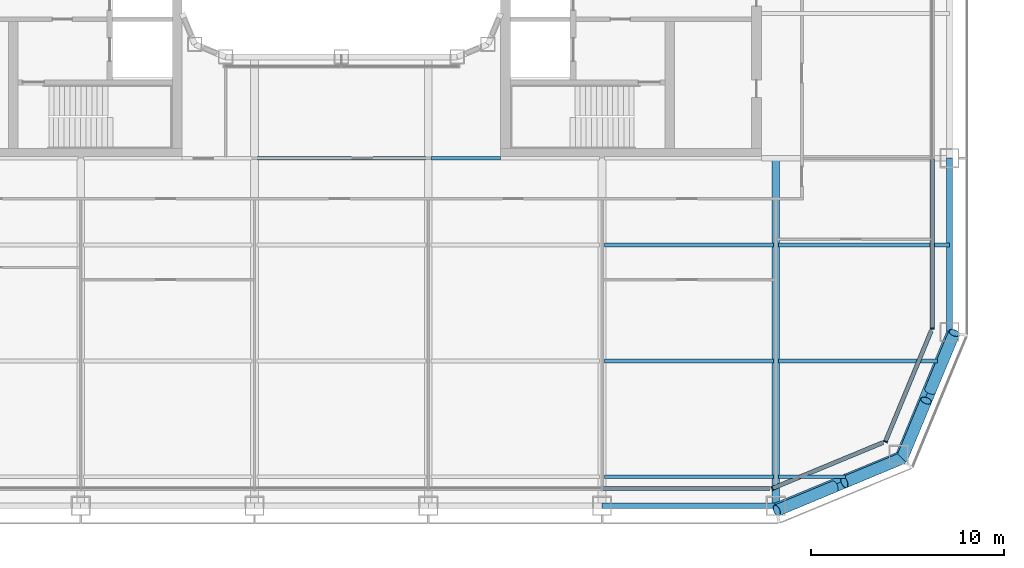
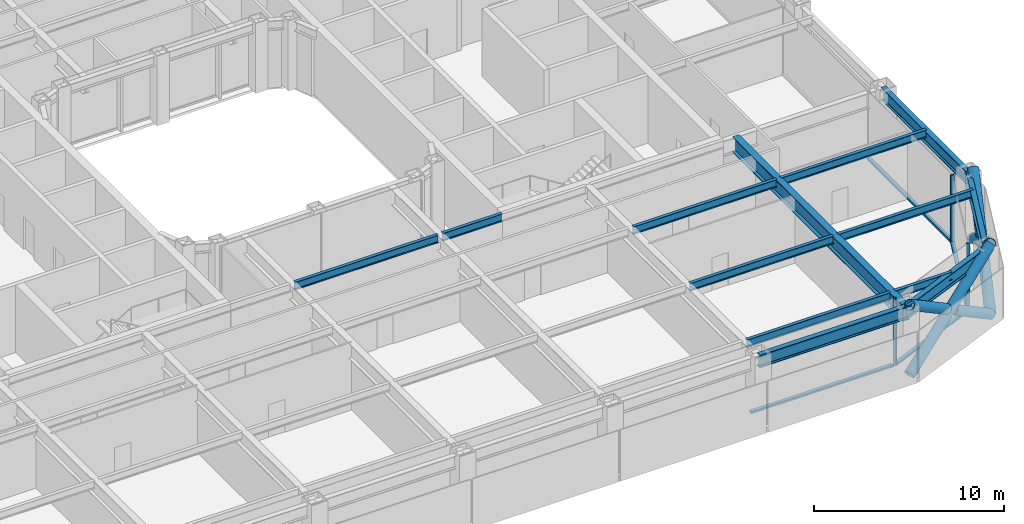
# One storey, part 4 of 30: 13 beams, 13 members, 4 elements without a shape of their own.
"""IFC4 building model written with IfcOpenShell, lengths in metres."""

from ifc_helpers import new_model, si_unit, direction, frame, origin, origin_2d, place, context, subcontext, project, spatial, rectangle, hollow_circle, i_section, extrude, material, layer, layer_set, material_profile, profile_set, type_object, element, aggregate, save


model = new_model("IFC4")

# Units and contexts
model_context = context("Model", 3, precision=1e-05, world=origin(), true_north=direction((0.0, 1.0)))
body_context = subcontext(model_context, "Body", "Model", "MODEL_VIEW")
ifc_project = project(units=[si_unit("LENGTHUNIT", "METRE"), si_unit("AREAUNIT", "SQUARE_METRE"), si_unit("VOLUMEUNIT", "CUBIC_METRE"), si_unit("PLANEANGLEUNIT", "RADIAN"), si_unit("MASSUNIT", "GRAM", prefix="KILO")], contexts=[model_context])

# Site, building, storey
site_placement = place(None, origin())
site = spatial("IfcSite", under=ifc_project, at=site_placement, CompositionType="ELEMENT")
building_placement = place(site_placement, origin())
building = spatial("IfcBuilding", under=site, at=building_placement, Name="Siwar Civic Tower", CompositionType="ELEMENT")
storey_placement = place(building_placement, frame((0.0, 0.0, 62.699951171875)))
storey = spatial("IfcBuildingStorey", under=building, at=storey_placement, Name="L13", CompositionType="ELEMENT", Elevation=62.699951171875)

# Curtain wall, member
ifc_material_1 = material(Name="Aluminium clad insulated panel", Category="aluminium")
ifc_layer_1 = layer(ifc_material_1, 0.219970703125)
ifc_layer_set_1 = layer_set([ifc_layer_1], Name="Aluminium clad insulated panel")
curtain_wall_type_1 = type_object("IfcCurtainWallType", Name="ENV-CW-AX", PredefinedType="NOTDEFINED", material=ifc_layer_set_1)
curtain_wall_1_placement = place(storey_placement, origin())
curtain_wall_1 = element("IfcCurtainWall", 1, at=curtain_wall_1_placement, inside=storey, type_object=curtain_wall_type_1, Name="Curtain wall A SE1", PredefinedType="NOTDEFINED")
ifc_material_2 = material(Name="Aluminium 6063-T6", Category="aluminium")
ifc_material_profile_1 = material_profile(ifc_material_2, rectangle(XDim=0.219970703125, YDim=0.070068359375, at=origin_2d()), Name="AL 220x70")
ifc_profile_set_1 = profile_set([ifc_material_profile_1], Name="Aluminium 6063-T6")
member_type_1 = type_object("IfcMemberType", Name="ENV-MULLION-A", PredefinedType="MULLION", material=ifc_profile_set_1)
member_1_placement = place(storey_placement, frame((22.321044921875, -30.60009765625, 0.0), z_axis=(0.0, 0.0, 1.0), x_axis=(-0.382683432365, 0.923879532511, 0.0)))
member_1 = element("IfcMember", 2, at=member_1_placement, type_object=member_type_1, Name="Mullion A SE1 1", PredefinedType="MULLION", context=body_context, shape_type="SweptSolid", body=[
    extrude(rectangle(XDim=0.219970703125, YDim=0.070068359375, at=origin_2d()), origin(), (0.0, 0.0, 1.0), 4.35009765625),
])

curtain_wall_2_placement = place(storey_placement, origin())
curtain_wall_2 = element("IfcCurtainWall", 3, at=curtain_wall_2_placement, inside=storey, type_object=curtain_wall_type_1, Name="Curtain wall A SE2", PredefinedType="NOTDEFINED")
member_2_placement = place(storey_placement, frame((28.175048828125, -28.175048828125, 0.0), z_axis=(0.0, 0.0, 1.0), x_axis=(-0.923879532511, 0.382683432365, 0.0)))
member_2 = element("IfcMember", 4, at=member_2_placement, type_object=member_type_1, Name="Mullion A SE2 1", PredefinedType="MULLION", context=body_context, shape_type="SweptSolid", body=[
    extrude(rectangle(XDim=0.219970703125, YDim=0.070068359375, at=origin_2d()), origin(), (0.0, 0.0, 1.0), 4.35009765625),
])

ifc_material_3 = material(Name="Aluminium and glass", Category="aluminium")
ifc_layer_2 = layer(ifc_material_3, 0.219970703125)
ifc_layer_set_2 = layer_set([ifc_layer_2], Name="Aluminium and glass")
curtain_wall_type_2 = type_object("IfcCurtainWallType", Name="ENV-CW-A", PredefinedType="NOTDEFINED", material=ifc_layer_set_2)
curtain_wall_3_placement = place(storey_placement, origin())
curtain_wall_3 = element("IfcCurtainWall", 5, at=curtain_wall_3_placement, inside=storey, type_object=curtain_wall_type_2, Name="Curtain wall A E", PredefinedType="NOTDEFINED")
member_3_placement = place(storey_placement, frame((30.60009765625, -22.321044921875, 0.0), z_axis=(0.0, 0.0, 1.0), x_axis=(-1.0, 0.0, 0.0)))
member_3 = element("IfcMember", 6, at=member_3_placement, type_object=member_type_1, Name="Mullion A E 1", PredefinedType="MULLION", context=body_context, shape_type="SweptSolid", body=[
    extrude(rectangle(XDim=0.219970703125, YDim=0.070068359375, at=origin_2d()), origin(), (0.0, 0.0, 1.0), 4.35009765625),
])

curtain_wall_4_placement = place(storey_placement, origin())
curtain_wall_4 = element("IfcCurtainWall", 7, at=curtain_wall_4_placement, inside=storey, type_object=curtain_wall_type_2, Name="Curtain wall A S", PredefinedType="NOTDEFINED")
ifc_material_4 = material(Name="Aluminium 6063-T6", Category="aluminium")
ifc_material_profile_2 = material_profile(ifc_material_4, rectangle(XDim=0.219970703125, YDim=0.1201171875, at=origin_2d()), Name="AL 220x120")
ifc_profile_set_2 = profile_set([ifc_material_profile_2], Name="Aluminium 6063-T6")
member_type_2 = type_object("IfcMemberType", Name="ENV-TRANSOM-A", PredefinedType="USERDEFINED", material=ifc_profile_set_2)
member_4_placement = place(storey_placement, frame((13.534912109375, -30.60009765625, 0.06005859375), z_axis=(1.0, 0.0, 0.0), x_axis=(0.0, 1.0, 0.0)))
member_4 = element("IfcMember", 8, at=member_4_placement, type_object=member_type_2, Name="Transom A S 5", ObjectType="TRANSOM", PredefinedType="USERDEFINED", context=body_context, shape_type="SweptSolid", body=[
    extrude(rectangle(XDim=0.219970703125, YDim=0.1201171875, at=origin_2d()), origin(), (0.0, 0.0, 1.0), 8.66357421875),
])
aggregate(curtain_wall_4, [member_4])

# Member
member_5_placement = place(storey_placement, frame((22.353271484375, -30.586669921875, 0.06005859375), z_axis=(0.923873326341, 0.382698415042, 0.0), x_axis=(-0.382698415042, 0.923873326341, 0.0)))
member_5 = element("IfcMember", 9, at=member_5_placement, type_object=member_type_2, Name="Transom A SE1 1", ObjectType="TRANSOM", PredefinedType="USERDEFINED", context=body_context, shape_type="SweptSolid", body=[
    extrude(rectangle(XDim=0.219970703125, YDim=0.1201171875, at=origin_2d()), origin(), (0.0, 0.0, 1.0), 6.17919921875),
])

aggregate(curtain_wall_1, [member_1, member_5])

member_6_placement = place(storey_placement, frame((28.1884765625, -28.142822265625, 0.06005859375), z_axis=(0.382698415042, 0.923873326341, 0.0), x_axis=(-0.923873326341, 0.382698415042, 0.0)))
member_6 = element("IfcMember", 10, at=member_6_placement, type_object=member_type_2, Name="Transom A SE2 1", ObjectType="TRANSOM", PredefinedType="USERDEFINED", context=body_context, shape_type="SweptSolid", body=[
    extrude(rectangle(XDim=0.219970703125, YDim=0.1201171875, at=origin_2d()), origin(), (0.0, 0.0, 1.0), 6.17919921875),
])

aggregate(curtain_wall_2, [member_2, member_6])

member_7_placement = place(storey_placement, frame((30.60009765625, -22.285888671875, 0.06005859375), z_axis=(0.0, 1.0, 0.0), x_axis=(-1.0, 0.0, 0.0)))
member_7 = element("IfcMember", 11, at=member_7_placement, type_object=member_type_2, Name="Transom A E 1", ObjectType="TRANSOM", PredefinedType="USERDEFINED", context=body_context, shape_type="SweptSolid", body=[
    extrude(rectangle(XDim=0.219970703125, YDim=0.1201171875, at=origin_2d()), origin(), (0.0, 0.0, 1.0), 8.7509765625),
])

aggregate(curtain_wall_3, [member_3, member_7])

# Members
ifc_material_5 = material(Name="Steel S355", Category="steel")
ifc_material_profile_3 = material_profile(ifc_material_5, hollow_circle(Radius=0.304931640625, WallThickness=0.030029296875, at=origin_2d()), Name="CHS610x30")
ifc_profile_set_3 = profile_set([ifc_material_profile_3], Name="Steel S355")
member_type_3 = type_object("IfcMemberType", Name="STR-BR-CHS610x30", PredefinedType="BRACE", material=ifc_profile_set_3)
member_8_placement = place(storey_placement, frame((31.7451171875, -22.548828125, 0.0), z_axis=(-0.323905527954, -0.777554562952, 0.538975055633), x_axis=(0.923108759191, -0.384538969033, 0.0)))
element("IfcMember", 12, at=member_8_placement, inside=storey, type_object=member_type_3, Name="L13/brc/ASE1-12-0-1", PredefinedType="BRACE", context=body_context, shape_type="SweptSolid", body=[
    extrude(hollow_circle(Radius=0.304931640625, WallThickness=0.030029296875, at=origin_2d()), origin(), (0.0, 0.0, 1.0), 8.34912109375),
])
member_9_placement = place(storey_placement, frame((29.040771484375, -29.040771484375, 0.0), z_axis=(0.323922979564, 0.777542179573, 0.53898243227), x_axis=(-0.923099230484, 0.384561842466, 0.0)))
element("IfcMember", 13, at=member_9_placement, inside=storey, type_object=member_type_3, Name="L13/brc/ASE1-12-0-2", PredefinedType="BRACE", context=body_context, shape_type="SweptSolid", body=[
    extrude(hollow_circle(Radius=0.304931640625, WallThickness=0.030029296875, at=origin_2d()), origin(), (0.0, 0.0, 1.0), 3.84375),
])
member_10_placement = place(storey_placement, frame((30.500244140625, -25.537353515625, 2.428466796875), z_axis=(0.3238932121, 0.777559680196, 0.53897507446), x_axis=(-0.923114847559, 0.384524353215, 0.0)))
element("IfcMember", 14, at=member_10_placement, inside=storey, type_object=member_type_3, Name="L13/brc/ASE1-12-0-3", PredefinedType="BRACE", context=body_context, shape_type="SweptSolid", body=[
    extrude(hollow_circle(Radius=0.304931640625, WallThickness=0.030029296875, at=origin_2d()), origin(), (0.0, 0.0, 1.0), 3.843505859375),
])
member_11_placement = place(storey_placement, frame((22.548828125, -31.7451171875, 0.0), z_axis=(0.777554562952, 0.323905527954, 0.538975055633), x_axis=(-0.384538969033, 0.923108759191, 0.0)))
element("IfcMember", 15, at=member_11_placement, inside=storey, type_object=member_type_3, Name="L13/brc/ASE1-12-0-0", PredefinedType="BRACE", context=body_context, shape_type="SweptSolid", body=[
    extrude(hollow_circle(Radius=0.304931640625, WallThickness=0.030029296875, at=origin_2d()), origin(), (0.0, 0.0, 1.0), 8.34912109375),
])
member_12_placement = place(storey_placement, frame((29.040771484375, -29.040771484375, 0.0), z_axis=(-0.777542179573, -0.323922979564, 0.53898243227), x_axis=(0.384561842466, -0.923099230484, 0.0)))
element("IfcMember", 16, at=member_12_placement, inside=storey, type_object=member_type_3, Name="L13/brc/ASE1-12-0-4", PredefinedType="BRACE", context=body_context, shape_type="SweptSolid", body=[
    extrude(hollow_circle(Radius=0.304931640625, WallThickness=0.030029296875, at=origin_2d()), origin(), (0.0, 0.0, 1.0), 3.84375),
])
member_13_placement = place(storey_placement, frame((25.537353515625, -30.500244140625, 2.428466796875), z_axis=(-0.777559680196, -0.3238932121, 0.53897507446), x_axis=(0.384524353215, -0.923114847559, 0.0)))
element("IfcMember", 17, at=member_13_placement, inside=storey, type_object=member_type_3, Name="L13/brc/ASE1-12-0-5", PredefinedType="BRACE", context=body_context, shape_type="SweptSolid", body=[
    extrude(hollow_circle(Radius=0.304931640625, WallThickness=0.030029296875, at=origin_2d()), origin(), (0.0, 0.0, 1.0), 3.843505859375),
])

# Beams
ifc_material_6 = material(Name="Steel S355", Category="steel")
ifc_material_profile_4 = material_profile(ifc_material_6, i_section(OverallWidth=0.199951171875, OverallDepth=0.5, WebThickness=0.01025390625, FlangeThickness=0.01611328125, FilletRadius=0.02099609375, at=origin_2d()), Name="IPE500")
ifc_profile_set_4 = profile_set([ifc_material_profile_4], Name="Steel S355")
beam_type_1 = type_object("IfcBeamType", Name="STR-FB-IPE500", PredefinedType="JOIST", material=ifc_profile_set_4)
beam_1_placement = place(storey_placement, frame((13.6298828125, -30.0, 4.10009765625), z_axis=(1.0, 0.0, 0.0), x_axis=(0.0, 1.0, 0.0)))
element("IfcBeam", 18, at=beam_1_placement, inside=storey, type_object=beam_type_1, Name="L13/bm/F006", PredefinedType="JOIST", context=body_context, shape_type="SweptSolid", body=[
    extrude(i_section(OverallWidth=0.199951171875, OverallDepth=0.5, WebThickness=0.01025390625, FlangeThickness=0.01611328125, FilletRadius=0.02099609375, at=origin_2d()), origin(), (0.0, 0.0, 1.0), 8.740234375),
])
beam_2_placement = place(storey_placement, frame((22.6298828125, -30.0, 4.10009765625), z_axis=(1.0, 0.0, 0.0), x_axis=(0.0, 1.0, 0.0)))
element("IfcBeam", 19, at=beam_2_placement, inside=storey, type_object=beam_type_1, Name="L13/bm/F007", PredefinedType="JOIST", context=body_context, shape_type="SweptSolid", body=[
    extrude(i_section(OverallWidth=0.199951171875, OverallDepth=0.5, WebThickness=0.01025390625, FlangeThickness=0.01611328125, FilletRadius=0.02099609375, at=origin_2d()), origin(), (0.0, 0.0, 1.0), 3.491455078125),
])
beam_3_placement = place(storey_placement, frame((13.6298828125, -24.0, 4.10009765625), z_axis=(1.0, 0.0, 0.0), x_axis=(0.0, 1.0, 0.0)))
element("IfcBeam", 20, at=beam_3_placement, inside=storey, type_object=beam_type_1, Name="L13/bm/F013", PredefinedType="JOIST", context=body_context, shape_type="SweptSolid", body=[
    extrude(i_section(OverallWidth=0.199951171875, OverallDepth=0.5, WebThickness=0.01025390625, FlangeThickness=0.01611328125, FilletRadius=0.02099609375, at=origin_2d()), origin(), (0.0, 0.0, 1.0), 8.740234375),
])
beam_4_placement = place(storey_placement, frame((22.6298828125, -24.0, 4.10009765625), z_axis=(1.0, 0.0, 0.0), x_axis=(0.0, 1.0, 0.0)))
element("IfcBeam", 21, at=beam_4_placement, inside=storey, type_object=beam_type_1, Name="L13/bm/F014", PredefinedType="JOIST", context=body_context, shape_type="SweptSolid", body=[
    extrude(i_section(OverallWidth=0.199951171875, OverallDepth=0.5, WebThickness=0.01025390625, FlangeThickness=0.01611328125, FilletRadius=0.02099609375, at=origin_2d()), origin(), (0.0, 0.0, 1.0), 8.248779296875),
])
beam_5_placement = place(storey_placement, frame((13.6298828125, -18.0, 4.10009765625), z_axis=(1.0, 0.0, 0.0), x_axis=(0.0, 1.0, 0.0)))
element("IfcBeam", 22, at=beam_5_placement, inside=storey, type_object=beam_type_1, Name="L13/bm/F020", PredefinedType="JOIST", context=body_context, shape_type="SweptSolid", body=[
    extrude(i_section(OverallWidth=0.199951171875, OverallDepth=0.5, WebThickness=0.01025390625, FlangeThickness=0.01611328125, FilletRadius=0.02099609375, at=origin_2d()), origin(), (0.0, 0.0, 1.0), 8.740234375),
])
beam_6_placement = place(storey_placement, frame((22.6298828125, -18.0, 4.10009765625), z_axis=(1.0, 0.0, 0.0), x_axis=(0.0, 1.0, 0.0)))
element("IfcBeam", 23, at=beam_6_placement, inside=storey, type_object=beam_type_1, Name="L13/bm/F021", PredefinedType="JOIST", context=body_context, shape_type="SweptSolid", body=[
    extrude(i_section(OverallWidth=0.199951171875, OverallDepth=0.5, WebThickness=0.01025390625, FlangeThickness=0.01611328125, FilletRadius=0.02099609375, at=origin_2d()), origin(), (0.0, 0.0, 1.0), 8.8701171875),
])
beam_7_placement = place(storey_placement, frame((-4.3701171875, -13.5, 4.10009765625), z_axis=(1.0, 0.0, 0.0), x_axis=(0.0, 1.0, 0.0)))
element("IfcBeam", 24, at=beam_7_placement, inside=storey, type_object=beam_type_1, Name="L13/bm/F026", PredefinedType="JOIST", context=body_context, shape_type="SweptSolid", body=[
    extrude(i_section(OverallWidth=0.199951171875, OverallDepth=0.5, WebThickness=0.01025390625, FlangeThickness=0.01611328125, FilletRadius=0.02099609375, at=origin_2d()), origin(), (0.0, 0.0, 1.0), 8.740234375),
])
beam_8_placement = place(storey_placement, frame((4.6298828125, -13.5, 4.10009765625), z_axis=(1.0, 0.0, 0.0), x_axis=(0.0, 1.0, 0.0)))
element("IfcBeam", 25, at=beam_8_placement, inside=storey, type_object=beam_type_1, Name="L13/bm/F027", PredefinedType="JOIST", context=body_context, shape_type="SweptSolid", body=[
    extrude(i_section(OverallWidth=0.199951171875, OverallDepth=0.5, WebThickness=0.01025390625, FlangeThickness=0.01611328125, FilletRadius=0.02099609375, at=origin_2d()), origin(), (0.0, 0.0, 1.0), 3.6201171875),
])
ifc_material_7 = material(Name="Steel S355", Category="steel")
ifc_material_profile_5 = material_profile(ifc_material_7, i_section(OverallWidth=0.39990234375, OverallDepth=1.0, WebThickness=0.01611328125, FlangeThickness=0.0400390625, at=origin_2d()), Name="PG1000x400x16x40")
ifc_profile_set_5 = profile_set([ifc_material_profile_5], Name="Steel S355")
beam_type_2 = type_object("IfcBeamType", Name="STR-PG-PG1000x400x16x40", PredefinedType="BEAM", material=ifc_profile_set_5)
beam_9_placement = place(storey_placement, frame((22.5, -31.5, 3.85009765625), z_axis=(0.0, 1.0, 0.0), x_axis=(-1.0, 0.0, 0.0)))
element("IfcBeam", 26, at=beam_9_placement, inside=storey, type_object=beam_type_2, Name="L13/bm/G11", PredefinedType="BEAM", context=body_context, shape_type="SweptSolid", body=[
    extrude(i_section(OverallWidth=0.39990234375, OverallDepth=1.0, WebThickness=0.01611328125, FlangeThickness=0.0400390625, at=origin_2d()), origin(), (0.0, 0.0, 1.0), 18.0),
])
ifc_material_8 = material(Name="Steel S355", Category="steel")
ifc_material_profile_6 = material_profile(ifc_material_8, i_section(OverallWidth=0.302978515625, OverallDepth=0.81396484375, WebThickness=0.02099609375, FlangeThickness=0.0400390625, FilletRadius=0.030029296875, at=origin_2d()), Name="HEM800")
ifc_profile_set_6 = profile_set([ifc_material_profile_6], Name="Steel S355")
beam_type_3 = type_object("IfcBeamType", Name="STR-SB-HEM800", PredefinedType="BEAM", material=ifc_profile_set_6)
beam_10_placement = place(storey_placement, frame((13.5, -31.5, 3.943115234375), z_axis=(1.0, 0.0, 0.0), x_axis=(0.0, 1.0, 0.0)))
element("IfcBeam", 27, at=beam_10_placement, inside=storey, type_object=beam_type_3, Name="L13/bm/SS-4", PredefinedType="BEAM", context=body_context, shape_type="SweptSolid", body=[
    extrude(i_section(OverallWidth=0.302978515625, OverallDepth=0.81396484375, WebThickness=0.02099609375, FlangeThickness=0.0400390625, FilletRadius=0.030029296875, at=origin_2d()), origin(), (0.0, 0.0, 1.0), 9.0),
])
for number, where, z_axis, x_axis, name in (
    (28, (22.5, -31.5, 3.943115234375), (0.923883353507, 0.382674207535, 0.0), (-0.382674207535, 0.923883353507, 0.0), "L13/bm/SSE1-0"),
    (29, (28.864013671875, -28.864013671875, 3.943115234375), (0.382674207535, 0.923883353507, 0.0), (-0.923883353507, 0.382674207535, 0.0), "L13/bm/SSE2-0"),
):
    element("IfcBeam", number, at=place(storey_placement, frame(where, z_axis=z_axis, x_axis=x_axis)), inside=storey, type_object=beam_type_3, Name=name, PredefinedType="BEAM", context=body_context, shape_type="SweptSolid", body=[
        extrude(i_section(OverallWidth=0.302978515625, OverallDepth=0.81396484375, WebThickness=0.02099609375, FlangeThickness=0.0400390625, FilletRadius=0.030029296875, at=origin_2d()), origin(), (0.0, 0.0, 1.0), 6.888427734375),
    ])
beam_11_placement = place(storey_placement, frame((31.5, -22.5, 3.943115234375), z_axis=(0.0, 1.0, 0.0), x_axis=(-1.0, 0.0, 0.0)))
element("IfcBeam", 30, at=beam_11_placement, inside=storey, type_object=beam_type_3, Name="L13/bm/SE-0", PredefinedType="BEAM", context=body_context, shape_type="SweptSolid", body=[
    extrude(i_section(OverallWidth=0.302978515625, OverallDepth=0.81396484375, WebThickness=0.02099609375, FlangeThickness=0.0400390625, FilletRadius=0.030029296875, at=origin_2d()), origin(), (0.0, 0.0, 1.0), 9.0),
])

save(model, "model.ifc")
